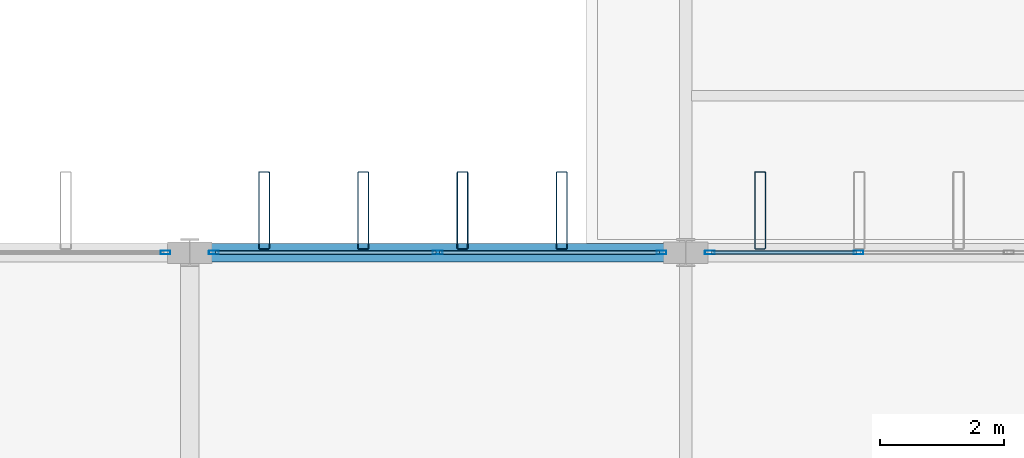
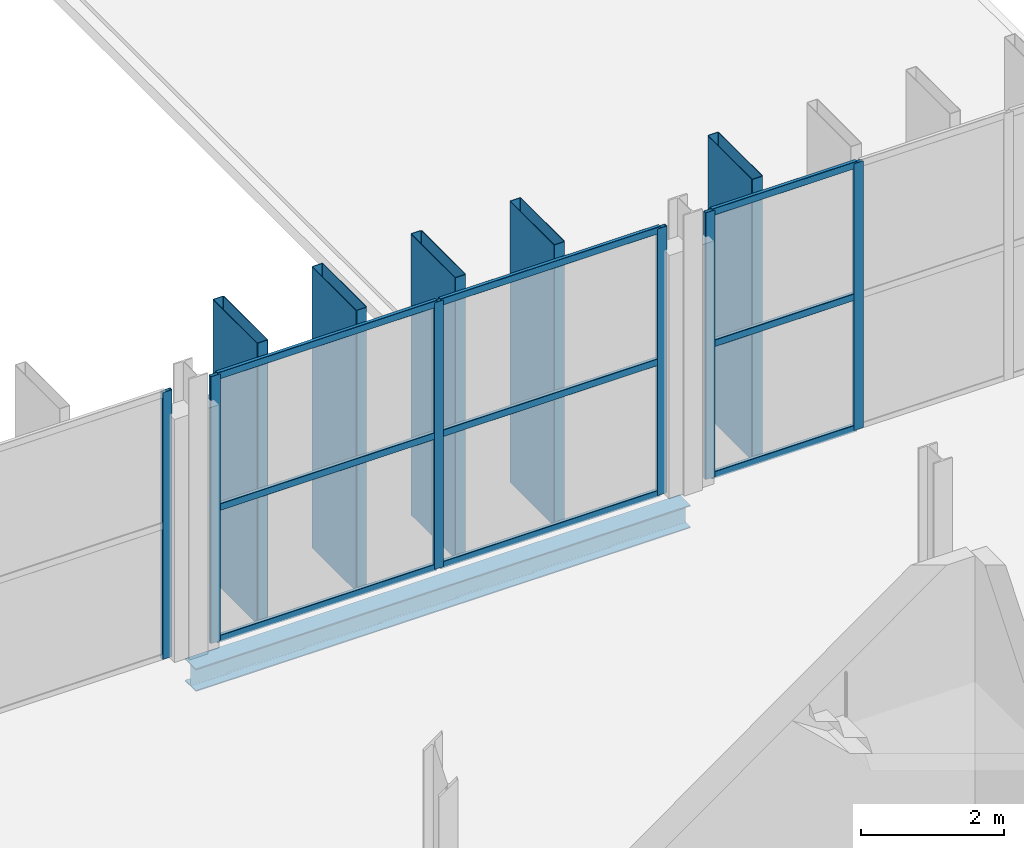
# One storey, part 43 of 120: 20 members, 1 beam, 3 elements without a shape of their own.
"""IFC4 building model written with IfcOpenShell, lengths in metres."""

from ifc_helpers import new_model, si_unit, direction, frame, origin, origin_2d, place, context, subcontext, project, spatial, hollow_rectangle, i_section, extrude, material, layer, layer_set, material_profile, profile_set, type_object, element, aggregate, save


model = new_model("IFC4")

# Units and contexts
model_context = context("Model", 3, precision=1e-05, world=origin(), true_north=direction((0.0, 1.0)))
body_context = subcontext(model_context, "Body", "Model", "MODEL_VIEW")
ifc_project = project(units=[si_unit("LENGTHUNIT", "METRE"), si_unit("AREAUNIT", "SQUARE_METRE"), si_unit("VOLUMEUNIT", "CUBIC_METRE"), si_unit("PLANEANGLEUNIT", "RADIAN"), si_unit("MASSUNIT", "GRAM", prefix="KILO")], contexts=[model_context])

# Site, building, storey
site_placement = place(None, origin())
site = spatial("IfcSite", under=ifc_project, at=site_placement, CompositionType="ELEMENT")
building_placement = place(site_placement, origin())
building = spatial("IfcBuilding", under=site, at=building_placement, Name="Vekula Escarpment Museum", CompositionType="ELEMENT")
storey_placement = place(building_placement, frame((0.0, 0.0, 13.199951171875)))
storey = spatial("IfcBuildingStorey", under=building, at=storey_placement, Name="L03", CompositionType="ELEMENT", Elevation=13.199951171875)

# Beam
ifc_material_1 = material(Name="Steel S355", Category="steel")
ifc_material_profile_1 = material_profile(ifc_material_1, i_section(OverallWidth=0.300048828125, OverallDepth=0.389892578125, WebThickness=0.010986328125, FlangeThickness=0.01904296875, FilletRadius=0.027099609375, at=origin_2d()), Name="HEA 400")
ifc_profile_set_1 = profile_set([ifc_material_profile_1], Name="Steel S355")
beam_type = type_object("IfcBeamType", Name="BM-SPAN-HEA400", PredefinedType="SPANDREL", material=ifc_profile_set_1)
beam_placement = place(storey_placement, frame((86.0, 90.39990234375, -0.445068359375), z_axis=(1.0, 0.0, 0.0), x_axis=(0.0, 1.0, 0.0)))
element("IfcBeam", 1, at=beam_placement, inside=storey, type_object=beam_type, Name="Beam X L03 1418", PredefinedType="SPANDREL", context=body_context, shape_type="SweptSolid", body=[
    extrude(i_section(OverallWidth=0.300048828125, OverallDepth=0.389892578125, WebThickness=0.010986328125, FlangeThickness=0.01904296875, FilletRadius=0.027099609375, at=origin_2d()), origin(), (0.0, 0.0, 1.0), 8.0),
])

# Curtain wall, members
ifc_material_2 = material(Name="Aluminium thermally broken framing", Category="aluminium")
ifc_layer_1 = layer(ifc_material_2, 0.139892578125)
ifc_layer_set_1 = layer_set([ifc_layer_1], Name="Aluminium thermally broken framing")
curtain_wall_type_1 = type_object("IfcCurtainWallType", Name="CW-SYS-06", PredefinedType="NOTDEFINED", material=ifc_layer_set_1)
curtain_wall_1_placement = place(storey_placement, origin())
curtain_wall_1 = element("IfcCurtainWall", 2, at=curtain_wall_1_placement, inside=storey, type_object=curtain_wall_type_1, Name="Curtain Wall CW-L03-126", PredefinedType="NOTDEFINED")
ifc_material_3 = material(Name="Aluminium anodized mullion", Category="aluminium")
ifc_material_profile_2 = material_profile(ifc_material_3, hollow_rectangle(XDim=0.06005859375, YDim=0.159912109375, WallThickness=0.00390625, InnerFilletRadius=0.00390625, OuterFilletRadius=0.008056640625, at=origin_2d()), Name="ALU 160x60x4")
ifc_profile_set_2 = profile_set([ifc_material_profile_2], Name="Aluminium anodized mullion")
member_type_1 = type_object("IfcMemberType", Name="CW-MUL-160", PredefinedType="MULLION", material=ifc_profile_set_2)
member_1_placement = place(storey_placement, frame((96.78662109375, 90.39990234375, 0.0), z_axis=(0.0, 0.0, 1.0), x_axis=(0.0, -1.0, 0.0)))
member_1 = element("IfcMember", 3, at=member_1_placement, type_object=member_type_1, Name="CW-06 mullion 3", PredefinedType="MULLION", context=body_context, shape_type="SweptSolid", body=[
    extrude(hollow_rectangle(XDim=0.06005859375, YDim=0.159912109375, WallThickness=0.00390625, InnerFilletRadius=0.00390625, OuterFilletRadius=0.008056640625, at=origin_2d()), origin(), (0.0, 0.0, 1.0), 4.56005859375),
])
member_2_placement = place(storey_placement, frame((94.389892578125, 90.39990234375, 0.0), z_axis=(0.0, 0.0, 1.0), x_axis=(0.0, -1.0, 0.0)))
member_2 = element("IfcMember", 4, at=member_2_placement, type_object=member_type_1, Name="CW-06 mullion 4", PredefinedType="MULLION", context=body_context, shape_type="SweptSolid", body=[
    extrude(hollow_rectangle(XDim=0.06005859375, YDim=0.159912109375, WallThickness=0.00390625, InnerFilletRadius=0.00390625, OuterFilletRadius=0.008056640625, at=origin_2d()), origin(), (0.0, 0.0, 1.0), 4.56005859375),
])

ifc_material_4 = material(Name="Aluminium thermally broken framing", Category="aluminium")
ifc_layer_2 = layer(ifc_material_4, 0.179931640625)
ifc_layer_set_2 = layer_set([ifc_layer_2], Name="Aluminium thermally broken framing")
curtain_wall_type_2 = type_object("IfcCurtainWallType", Name="CW-SYS-07", PredefinedType="NOTDEFINED", material=ifc_layer_set_2)
curtain_wall_2_placement = place(storey_placement, origin())
curtain_wall_2 = element("IfcCurtainWall", 5, at=curtain_wall_2_placement, inside=storey, type_object=curtain_wall_type_2, Name="Curtain Wall CW-L03-127", PredefinedType="NOTDEFINED")
member_3_placement = place(storey_placement, frame((93.610107421875, 90.39990234375, 0.0), z_axis=(0.0, 0.0, 1.0), x_axis=(0.0, -1.0, 0.0)))
member_3 = element("IfcMember", 6, at=member_3_placement, type_object=member_type_1, Name="CW-07 mullion 1", PredefinedType="MULLION", context=body_context, shape_type="SweptSolid", body=[
    extrude(hollow_rectangle(XDim=0.06005859375, YDim=0.159912109375, WallThickness=0.00390625, InnerFilletRadius=0.00390625, OuterFilletRadius=0.008056640625, at=origin_2d()), origin(), (0.0, 0.0, 1.0), 4.56005859375),
])
member_4_placement = place(storey_placement, frame((90.0, 90.39990234375, 0.0), z_axis=(0.0, 0.0, 1.0), x_axis=(0.0, -1.0, 0.0)))
member_4 = element("IfcMember", 7, at=member_4_placement, type_object=member_type_1, Name="CW-07 mullion 2", PredefinedType="MULLION", context=body_context, shape_type="SweptSolid", body=[
    extrude(hollow_rectangle(XDim=0.06005859375, YDim=0.159912109375, WallThickness=0.00390625, InnerFilletRadius=0.00390625, OuterFilletRadius=0.008056640625, at=origin_2d()), origin(), (0.0, 0.0, 1.0), 4.56005859375),
])
member_5_placement = place(storey_placement, frame((86.389892578125, 90.39990234375, 0.0), z_axis=(0.0, 0.0, 1.0), x_axis=(0.0, -1.0, 0.0)))
member_5 = element("IfcMember", 8, at=member_5_placement, type_object=member_type_1, Name="CW-07 mullion 3", PredefinedType="MULLION", context=body_context, shape_type="SweptSolid", body=[
    extrude(hollow_rectangle(XDim=0.06005859375, YDim=0.159912109375, WallThickness=0.00390625, InnerFilletRadius=0.00390625, OuterFilletRadius=0.008056640625, at=origin_2d()), origin(), (0.0, 0.0, 1.0), 4.56005859375),
])

# Curtain wall, member
ifc_material_5 = material(Name="Aluminium thermally broken framing", Category="aluminium")
ifc_layer_3 = layer(ifc_material_5, 0.179931640625)
ifc_layer_set_3 = layer_set([ifc_layer_3], Name="Aluminium thermally broken framing")
curtain_wall_type_3 = type_object("IfcCurtainWallType", Name="CW-SYS-08", PredefinedType="NOTDEFINED", material=ifc_layer_set_3)
curtain_wall_3_placement = place(storey_placement, origin())
curtain_wall_3 = element("IfcCurtainWall", 9, at=curtain_wall_3_placement, inside=storey, type_object=curtain_wall_type_3, Name="Curtain Wall CW-L03-128", PredefinedType="NOTDEFINED")
member_6_placement = place(storey_placement, frame((85.610107421875, 90.39990234375, 0.0), z_axis=(0.0, 0.0, 1.0), x_axis=(0.0, -1.0, 0.0)))
member_6 = element("IfcMember", 10, at=member_6_placement, type_object=member_type_1, Name="CW-08 mullion 1", PredefinedType="MULLION", context=body_context, shape_type="SweptSolid", body=[
    extrude(hollow_rectangle(XDim=0.06005859375, YDim=0.159912109375, WallThickness=0.00390625, InnerFilletRadius=0.00390625, OuterFilletRadius=0.008056640625, at=origin_2d()), origin(), (0.0, 0.0, 1.0), 4.56005859375),
])
aggregate(curtain_wall_3, [member_6])

# Member
ifc_material_6 = material(Name="Aluminium anodized transom", Category="aluminium")
ifc_material_profile_3 = material_profile(ifc_material_6, hollow_rectangle(XDim=0.06005859375, YDim=0.1201171875, WallThickness=0.00390625, InnerFilletRadius=0.00390625, OuterFilletRadius=0.008056640625, at=origin_2d()), Name="ALU 120x60x4")
ifc_profile_set_3 = profile_set([ifc_material_profile_3], Name="Aluminium anodized transom")
member_type_2 = type_object("IfcMemberType", Name="CW-TRN-120", PredefinedType="USERDEFINED", material=ifc_profile_set_3)
member_7_placement = place(storey_placement, frame((96.756591796875, 90.39990234375, 0.030029296875), z_axis=(-1.0, 0.0, 0.0), x_axis=(0.0, -1.0, 0.0)))
member_7 = element("IfcMember", 11, at=member_7_placement, type_object=member_type_2, Name="CW-06 transom 3.1", ObjectType="TRANSOM", PredefinedType="USERDEFINED", context=body_context, shape_type="SweptSolid", body=[
    extrude(hollow_rectangle(XDim=0.06005859375, YDim=0.1201171875, WallThickness=0.00390625, InnerFilletRadius=0.00390625, OuterFilletRadius=0.008056640625, at=origin_2d()), origin(), (0.0, 0.0, 1.0), 2.336669921875),
])

member_8_placement = place(storey_placement, frame((96.756591796875, 90.39990234375, 2.280029296875), z_axis=(-1.0, 0.0, 0.0), x_axis=(0.0, -1.0, 0.0)))
member_8 = element("IfcMember", 12, at=member_8_placement, type_object=member_type_2, Name="CW-06 transom 3.2", ObjectType="TRANSOM", PredefinedType="USERDEFINED", context=body_context, shape_type="SweptSolid", body=[
    extrude(hollow_rectangle(XDim=0.06005859375, YDim=0.1201171875, WallThickness=0.00390625, InnerFilletRadius=0.00390625, OuterFilletRadius=0.008056640625, at=origin_2d()), origin(), (0.0, 0.0, 1.0), 2.336669921875),
])

member_9_placement = place(storey_placement, frame((96.756591796875, 90.39990234375, 4.530029296875), z_axis=(-1.0, 0.0, 0.0), x_axis=(0.0, -1.0, 0.0)))
member_9 = element("IfcMember", 13, at=member_9_placement, type_object=member_type_2, Name="CW-06 transom 3.3", ObjectType="TRANSOM", PredefinedType="USERDEFINED", context=body_context, shape_type="SweptSolid", body=[
    extrude(hollow_rectangle(XDim=0.06005859375, YDim=0.1201171875, WallThickness=0.00390625, InnerFilletRadius=0.00390625, OuterFilletRadius=0.008056640625, at=origin_2d()), origin(), (0.0, 0.0, 1.0), 2.336669921875),
])

aggregate(curtain_wall_1, [member_1, member_2, member_7, member_8, member_9])

member_10_placement = place(storey_placement, frame((93.580078125, 90.39990234375, 0.030029296875), z_axis=(-1.0, 0.0, 0.0), x_axis=(0.0, -1.0, 0.0)))
member_10 = element("IfcMember", 14, at=member_10_placement, type_object=member_type_2, Name="CW-07 transom 1.1", ObjectType="TRANSOM", PredefinedType="USERDEFINED", context=body_context, shape_type="SweptSolid", body=[
    extrude(hollow_rectangle(XDim=0.06005859375, YDim=0.1201171875, WallThickness=0.00390625, InnerFilletRadius=0.00390625, OuterFilletRadius=0.008056640625, at=origin_2d()), origin(), (0.0, 0.0, 1.0), 3.550048828125),
])

member_11_placement = place(storey_placement, frame((93.580078125, 90.39990234375, 2.280029296875), z_axis=(-1.0, 0.0, 0.0), x_axis=(0.0, -1.0, 0.0)))
member_11 = element("IfcMember", 15, at=member_11_placement, type_object=member_type_2, Name="CW-07 transom 1.2", ObjectType="TRANSOM", PredefinedType="USERDEFINED", context=body_context, shape_type="SweptSolid", body=[
    extrude(hollow_rectangle(XDim=0.06005859375, YDim=0.1201171875, WallThickness=0.00390625, InnerFilletRadius=0.00390625, OuterFilletRadius=0.008056640625, at=origin_2d()), origin(), (0.0, 0.0, 1.0), 3.550048828125),
])

member_12_placement = place(storey_placement, frame((93.580078125, 90.39990234375, 4.530029296875), z_axis=(-1.0, 0.0, 0.0), x_axis=(0.0, -1.0, 0.0)))
member_12 = element("IfcMember", 16, at=member_12_placement, type_object=member_type_2, Name="CW-07 transom 1.3", ObjectType="TRANSOM", PredefinedType="USERDEFINED", context=body_context, shape_type="SweptSolid", body=[
    extrude(hollow_rectangle(XDim=0.06005859375, YDim=0.1201171875, WallThickness=0.00390625, InnerFilletRadius=0.00390625, OuterFilletRadius=0.008056640625, at=origin_2d()), origin(), (0.0, 0.0, 1.0), 3.550048828125),
])

member_13_placement = place(storey_placement, frame((89.969970703125, 90.39990234375, 0.030029296875), z_axis=(-1.0, 0.0, 0.0), x_axis=(0.0, -1.0, 0.0)))
member_13 = element("IfcMember", 17, at=member_13_placement, type_object=member_type_2, Name="CW-07 transom 2.1", ObjectType="TRANSOM", PredefinedType="USERDEFINED", context=body_context, shape_type="SweptSolid", body=[
    extrude(hollow_rectangle(XDim=0.06005859375, YDim=0.1201171875, WallThickness=0.00390625, InnerFilletRadius=0.00390625, OuterFilletRadius=0.008056640625, at=origin_2d()), origin(), (0.0, 0.0, 1.0), 3.550048828125),
])

member_14_placement = place(storey_placement, frame((89.969970703125, 90.39990234375, 2.280029296875), z_axis=(-1.0, 0.0, 0.0), x_axis=(0.0, -1.0, 0.0)))
member_14 = element("IfcMember", 18, at=member_14_placement, type_object=member_type_2, Name="CW-07 transom 2.2", ObjectType="TRANSOM", PredefinedType="USERDEFINED", context=body_context, shape_type="SweptSolid", body=[
    extrude(hollow_rectangle(XDim=0.06005859375, YDim=0.1201171875, WallThickness=0.00390625, InnerFilletRadius=0.00390625, OuterFilletRadius=0.008056640625, at=origin_2d()), origin(), (0.0, 0.0, 1.0), 3.550048828125),
])

member_15_placement = place(storey_placement, frame((89.969970703125, 90.39990234375, 4.530029296875), z_axis=(-1.0, 0.0, 0.0), x_axis=(0.0, -1.0, 0.0)))
member_15 = element("IfcMember", 19, at=member_15_placement, type_object=member_type_2, Name="CW-07 transom 2.3", ObjectType="TRANSOM", PredefinedType="USERDEFINED", context=body_context, shape_type="SweptSolid", body=[
    extrude(hollow_rectangle(XDim=0.06005859375, YDim=0.1201171875, WallThickness=0.00390625, InnerFilletRadius=0.00390625, OuterFilletRadius=0.008056640625, at=origin_2d()), origin(), (0.0, 0.0, 1.0), 3.550048828125),
])

aggregate(curtain_wall_2, [member_3, member_4, member_5, member_10, member_11, member_12, member_13, member_14, member_15])

# Members
ifc_material_7 = material(Name="Steel S355 weathered bronze solar fin", Category="steel")
ifc_material_profile_4 = material_profile(ifc_material_7, hollow_rectangle(XDim=0.179931640625, YDim=1.25, WallThickness=0.010009765625, InnerFilletRadius=0.010009765625, OuterFilletRadius=0.02001953125, at=origin_2d()), Name="RHS 1250x180x10")
ifc_profile_set_4 = profile_set([ifc_material_profile_4], Name="Steel S355 weathered bronze solar fin")
member_type_3 = type_object("IfcMemberType", Name="MB-SOLAR-FIN", PredefinedType="USERDEFINED", material=ifc_profile_set_4)
for number, where, z_axis, x_axis, name in (
    (20, (87.199951171875, 91.080078125, 0.0), (0.0, 0.0, 1.0), (1.0, 0.0, 0.0), "Great Hall Vertical Solar Fin 0178"),
    (21, (88.800048828125, 91.080078125, 0.0), (0.0, 0.0, 1.0), (1.0, 0.0, 0.0), "Great Hall Vertical Solar Fin 0183"),
    (22, (90.39990234375, 91.080078125, 0.0), (0.0, 0.0, 1.0), (1.0, 0.0, 0.0), "Great Hall Vertical Solar Fin 0188"),
    (23, (92.0, 91.080078125, 0.0), (0.0, 0.0, 1.0), (1.0, 0.0, 0.0), "Great Hall Vertical Solar Fin 0193"),
    (24, (95.199951171875, 91.080078125, 0.0), (0.0, 0.0, 1.0), (1.0, 0.0, 0.0), "Great Hall Vertical Solar Fin 0198"),
):
    element("IfcMember", number, at=place(storey_placement, frame(where, z_axis=z_axis, x_axis=x_axis)), inside=storey, type_object=member_type_3, Name=name, ObjectType="SOLAR FIN", PredefinedType="USERDEFINED", context=body_context, shape_type="SweptSolid", body=[
        extrude(hollow_rectangle(XDim=0.179931640625, YDim=1.25, WallThickness=0.010009765625, InnerFilletRadius=0.010009765625, OuterFilletRadius=0.02001953125, at=origin_2d()), origin(), (0.0, 0.0, 1.0), 4.800048828125),
    ])

save(model, "model.ifc")
